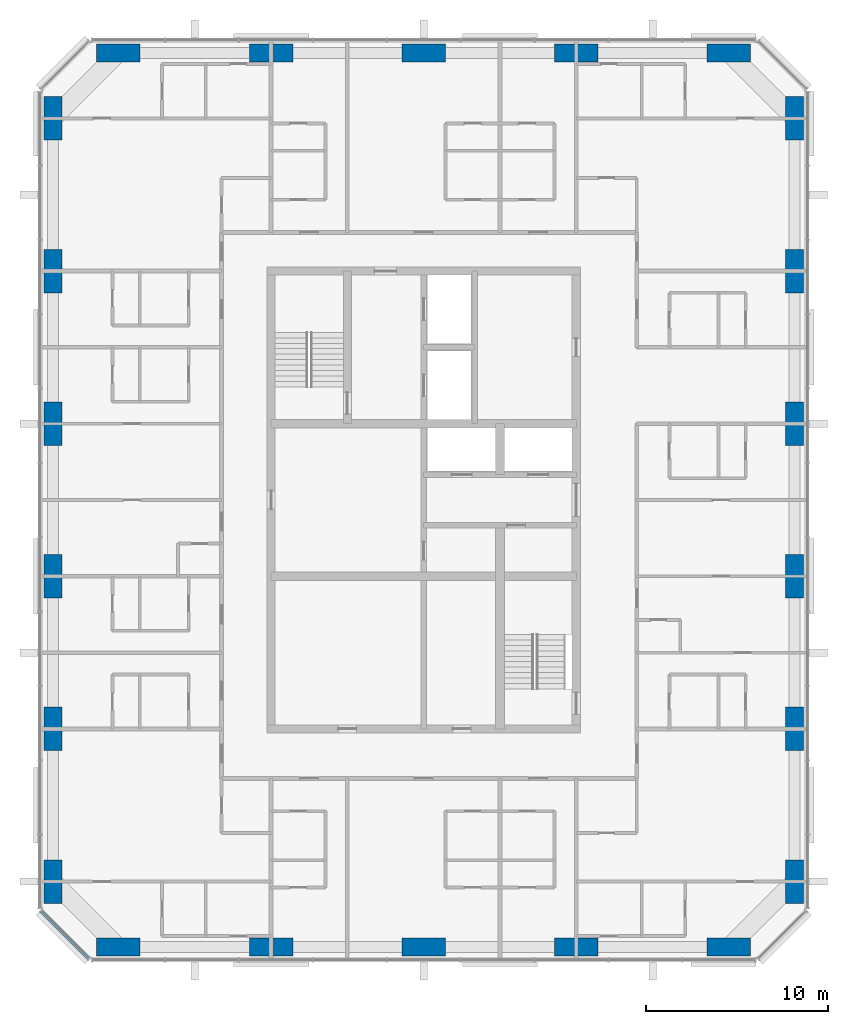
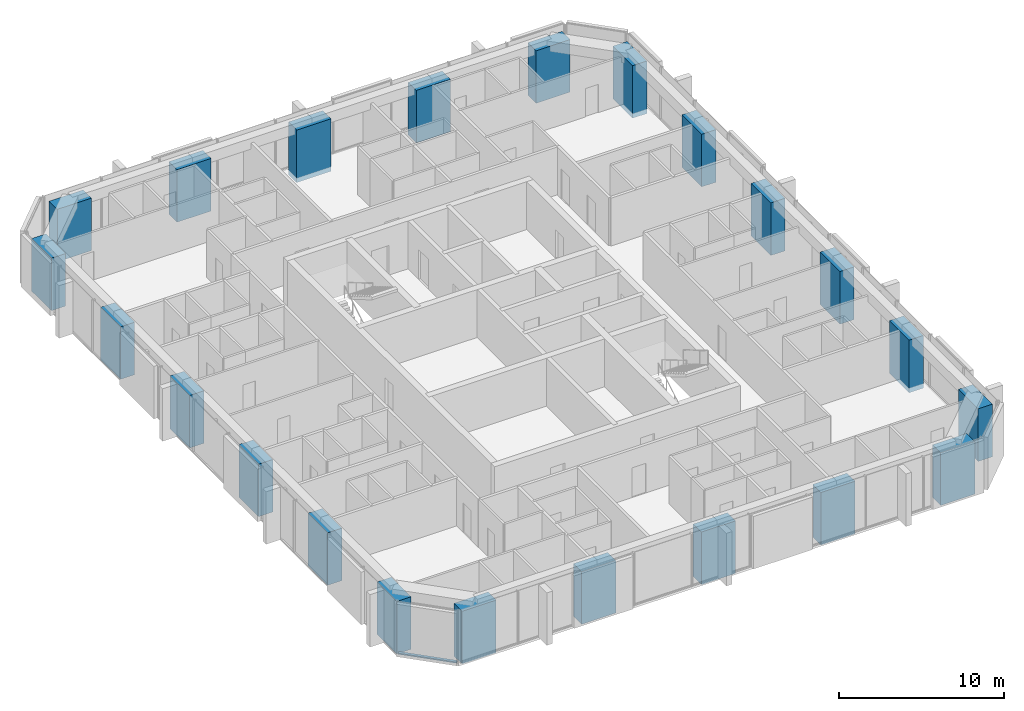
# One storey, part 1 of 12: 22 columns, 1 member, 1 element without a shape of its own.
"""IFC4 building model written with IfcOpenShell, lengths in metres."""

from ifc_helpers import new_model, si_unit, direction, frame, origin, origin_2d, place, context, subcontext, project, spatial, rectangle, extrude, material, material_profile, profile_set, type_object, element, aggregate, save


model = new_model("IFC4")

# Units and contexts
model_context = context("Model", 3, precision=1e-05, world=origin(), true_north=direction((0.0, 1.0)))
body_context = subcontext(model_context, "Body", "Model", "MODEL_VIEW")
ifc_project = project(units=[si_unit("LENGTHUNIT", "METRE"), si_unit("AREAUNIT", "SQUARE_METRE"), si_unit("VOLUMEUNIT", "CUBIC_METRE"), si_unit("PLANEANGLEUNIT", "RADIAN"), si_unit("MASSUNIT", "GRAM", prefix="KILO")], contexts=[model_context])

# Site, building, storey
site_placement = place(None, origin())
site = spatial("IfcSite", under=ifc_project, at=site_placement, CompositionType="ELEMENT")
building_placement = place(site_placement, origin())
building = spatial("IfcBuilding", under=site, at=building_placement, Name="Dunama Terrace Hotel", CompositionType="ELEMENT")
storey_placement = place(building_placement, frame((0.0, 0.0, 264.60009765625)))
storey = spatial("IfcBuildingStorey", under=building, at=storey_placement, Name="L68", CompositionType="ELEMENT", Elevation=264.60009765625)

# Columns
ifc_material_1 = material(Name="Concrete C50/60", Category="concrete")
ifc_material_profile_1 = material_profile(ifc_material_1, rectangle(XDim=1.0, YDim=2.39990234375, at=origin_2d()), Name="RC 1000x2400")
ifc_profile_set_1 = profile_set([ifc_material_profile_1], Name="Concrete C50/60")
column_type_1 = type_object("IfcColumnType", Name="Column RC 1000x2400", PredefinedType="COLUMN", material=ifc_profile_set_1)
for number, where, z_axis, x_axis, name in (
    (1, (13.199951171875, 8.39990234375, -0.35009765625), (0.0, 0.0, 1.0), (1.0, 0.0, 0.0), "Column L68 +13.2/+8.4"),
    (2, (13.199951171875, 16.800048828125, -0.35009765625), (0.0, 0.0, 1.0), (1.0, 0.0, 0.0), "Column L68 +13.2/+16.8"),
    (3, (13.199951171875, 25.199951171875, -0.35009765625), (0.0, 0.0, 1.0), (1.0, 0.0, 0.0), "Column L68 +13.2/+25.2"),
    (4, (13.199951171875, 33.60009765625, -0.35009765625), (0.0, 0.0, 1.0), (1.0, 0.0, 0.0), "Column L68 +13.2/+33.6"),
    (5, (13.199951171875, 42.0, -0.35009765625), (0.0, 0.0, 1.0), (1.0, 0.0, 0.0), "Column L68 +13.2/+42.0"),
    (6, (13.199951171875, 50.39990234375, -0.35009765625), (0.0, 0.0, 1.0), (1.0, 0.0, 0.0), "Column L68 +13.2/+50.4"),
    (7, (54.0, 8.39990234375, -0.35009765625), (0.0, 0.0, 1.0), (1.0, 0.0, 0.0), "Column L68 +54.0/+8.4"),
    (8, (54.0, 16.800048828125, -0.35009765625), (0.0, 0.0, 1.0), (1.0, 0.0, 0.0), "Column L68 +54.0/+16.8"),
    (9, (54.0, 25.199951171875, -0.35009765625), (0.0, 0.0, 1.0), (1.0, 0.0, 0.0), "Column L68 +54.0/+25.2"),
    (10, (54.0, 33.60009765625, -0.35009765625), (0.0, 0.0, 1.0), (1.0, 0.0, 0.0), "Column L68 +54.0/+33.6"),
    (11, (54.0, 42.0, -0.35009765625), (0.0, 0.0, 1.0), (1.0, 0.0, 0.0), "Column L68 +54.0/+42.0"),
    (12, (54.0, 50.39990234375, -0.35009765625), (0.0, 0.0, 1.0), (1.0, 0.0, 0.0), "Column L68 +54.0/+50.4"),
):
    element("IfcColumn", number, at=place(storey_placement, frame(where, z_axis=z_axis, x_axis=x_axis)), inside=storey, type_object=column_type_1, Name=name, PredefinedType="COLUMN", context=body_context, shape_type="SweptSolid", body=[
        extrude(rectangle(XDim=1.0, YDim=2.39990234375, at=origin_2d()), origin(), (0.0, 0.0, 1.0), 3.89990234375),
    ])
ifc_material_2 = material(Name="Concrete C50/60", Category="concrete")
ifc_material_profile_2 = material_profile(ifc_material_2, rectangle(XDim=2.39990234375, YDim=1.0, at=origin_2d()), Name="RC 2400x1000")
ifc_profile_set_2 = profile_set([ifc_material_profile_2], Name="Concrete C50/60")
column_type_2 = type_object("IfcColumnType", Name="Column RC 2400x1000", PredefinedType="COLUMN", material=ifc_profile_set_2)
for number, where, z_axis, x_axis, name in (
    (13, (16.800048828125, 4.800048828125, -0.35009765625), (0.0, 0.0, 1.0), (1.0, 0.0, 0.0), "Column L68 +16.8/+4.8"),
    (14, (16.800048828125, 54.0, -0.35009765625), (0.0, 0.0, 1.0), (1.0, 0.0, 0.0), "Column L68 +16.8/+54.0"),
    (15, (25.199951171875, 4.800048828125, -0.35009765625), (0.0, 0.0, 1.0), (1.0, 0.0, 0.0), "Column L68 +25.2/+4.8"),
    (16, (25.199951171875, 54.0, -0.35009765625), (0.0, 0.0, 1.0), (1.0, 0.0, 0.0), "Column L68 +25.2/+54.0"),
    (17, (33.60009765625, 4.800048828125, -0.35009765625), (0.0, 0.0, 1.0), (1.0, 0.0, 0.0), "Column L68 +33.6/+4.8"),
    (18, (33.60009765625, 54.0, -0.35009765625), (0.0, 0.0, 1.0), (1.0, 0.0, 0.0), "Column L68 +33.6/+54.0"),
    (19, (42.0, 4.800048828125, -0.35009765625), (0.0, 0.0, 1.0), (1.0, 0.0, 0.0), "Column L68 +42.0/+4.8"),
    (20, (42.0, 54.0, -0.35009765625), (0.0, 0.0, 1.0), (1.0, 0.0, 0.0), "Column L68 +42.0/+54.0"),
    (21, (50.39990234375, 4.800048828125, -0.35009765625), (0.0, 0.0, 1.0), (1.0, 0.0, 0.0), "Column L68 +50.4/+4.8"),
    (22, (50.39990234375, 54.0, -0.35009765625), (0.0, 0.0, 1.0), (1.0, 0.0, 0.0), "Column L68 +50.4/+54.0"),
):
    element("IfcColumn", number, at=place(storey_placement, frame(where, z_axis=z_axis, x_axis=x_axis)), inside=storey, type_object=column_type_2, Name=name, PredefinedType="COLUMN", context=body_context, shape_type="SweptSolid", body=[
        extrude(rectangle(XDim=2.39990234375, YDim=1.0, at=origin_2d()), origin(), (0.0, 0.0, 1.0), 3.89990234375),
    ])

# Curtain wall, member
ifc_material_3 = material(Name="Aluminium curtain wall system", Category="aluminium")
curtain_wall_type = type_object("IfcCurtainWallType", Name="Unitised fritted glass wall CW-D", PredefinedType="NOTDEFINED", material=ifc_material_3)
curtain_wall_placement = place(storey_placement, origin())
curtain_wall = element("IfcCurtainWall", 23, at=curtain_wall_placement, inside=storey, type_object=curtain_wall_type, Name="Unitised fritted glass wall CW-D L68", PredefinedType="NOTDEFINED")
ifc_material_4 = material(Name="Aluminium transom", Category="aluminium")
ifc_material_profile_3 = material_profile(ifc_material_4, rectangle(XDim=0.199951171875, YDim=0.0849609375, at=origin_2d()), Name="CWD TRANSOM 200X85")
ifc_profile_set_3 = profile_set([ifc_material_profile_3], Name="Aluminium transom")
member_type = type_object("IfcMemberType", Name="CWD transom 200x85", PredefinedType="USERDEFINED", material=ifc_profile_set_3)
member_placement = place(storey_placement, frame((12.56494140625, 6.76611328125, 0.04248046875), z_axis=(0.707106781187, -0.707106781187, 0.0), x_axis=(0.707106781187, 0.707106781187, 0.0)))
member = element("IfcMember", 24, at=member_placement, type_object=member_type, Name="CWD transom", ObjectType="TRANSOM", PredefinedType="USERDEFINED", context=body_context, shape_type="SweptSolid", body=[
    extrude(rectangle(XDim=0.199951171875, YDim=0.0849609375, at=origin_2d()), origin(), (0.0, 0.0, 1.0), 3.678466796875),
])
aggregate(curtain_wall, [member])

save(model, "model.ifc")
